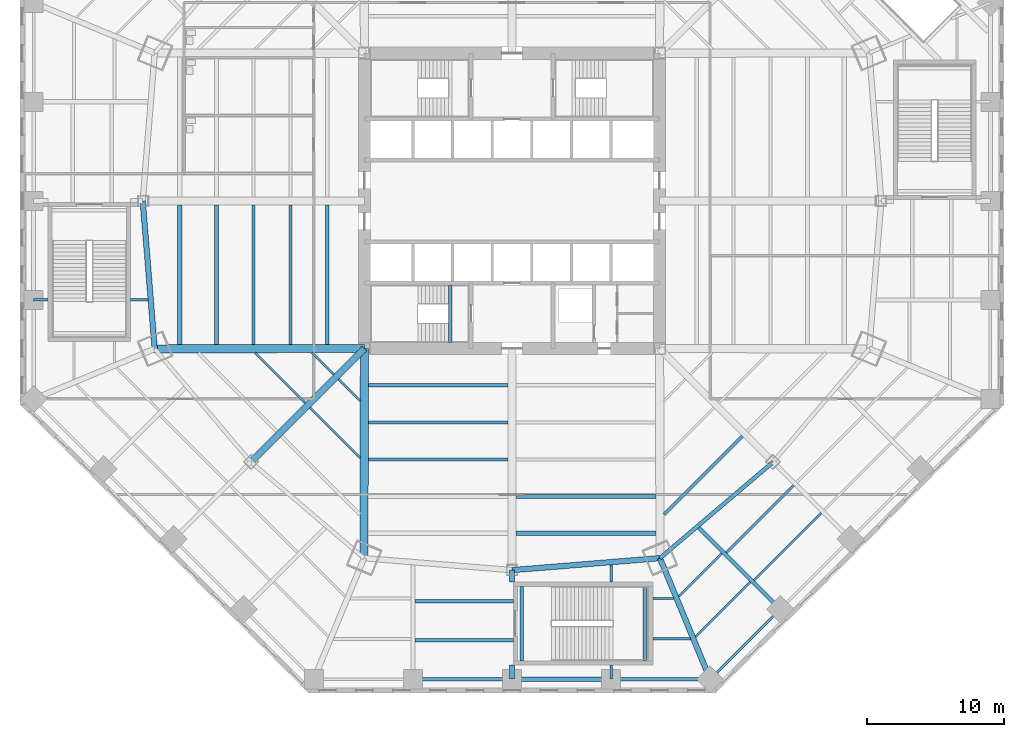
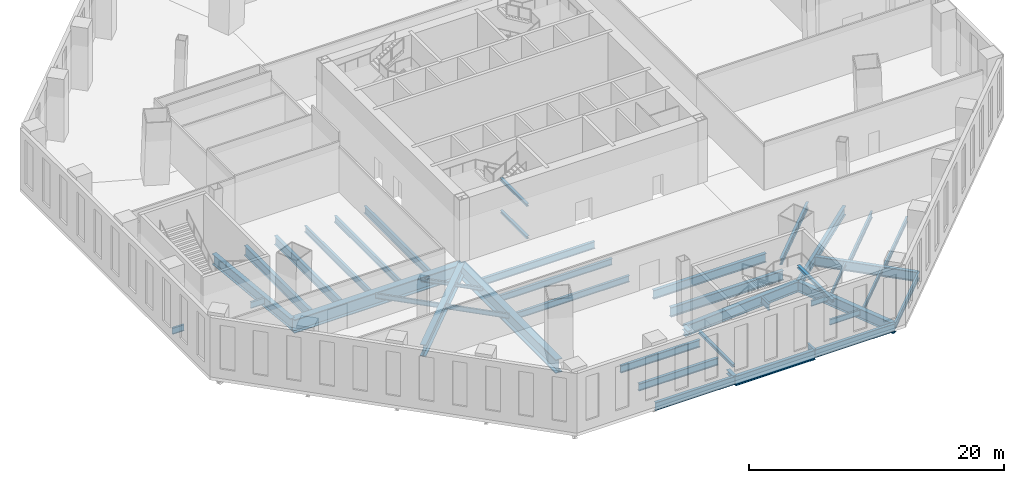
# One storey, part 2 of 20: 41 beams, 4 members.
"""IFC4 building model written with IfcOpenShell, lengths in metres."""

from ifc_helpers import new_model, si_unit, direction, frame, origin, origin_2d, place, context, subcontext, project, spatial, i_section, extrude, source, transform, mapped, material, material_profile, profile_set, type_object, type_shapes, element, save


model = new_model("IFC4")

# Units and contexts
model_context = context("Model", 3, precision=1e-05, world=origin(), true_north=direction((0.0, 1.0)))
body_context = subcontext(model_context, "Body", "Model", "MODEL_VIEW")
ifc_project = project(units=[si_unit("LENGTHUNIT", "METRE"), si_unit("AREAUNIT", "SQUARE_METRE"), si_unit("VOLUMEUNIT", "CUBIC_METRE"), si_unit("PLANEANGLEUNIT", "RADIAN"), si_unit("MASSUNIT", "GRAM", prefix="KILO")], contexts=[model_context])

# Site, building, storey
site_placement = place(None, origin())
site = spatial("IfcSite", under=ifc_project, at=site_placement, CompositionType="ELEMENT")
building_placement = place(site_placement, origin())
building = spatial("IfcBuilding", under=site, at=building_placement, Name="Mashrafa Tower", CompositionType="ELEMENT")
storey_placement = place(building_placement, frame((0.0, 0.0, 7.199951171875)))
storey = spatial("IfcBuildingStorey", under=building, at=storey_placement, Name="L01", CompositionType="ELEMENT", Elevation=7.199951171875)

# Beams
ifc_material_1 = material(Name="Steel ASTM A572 Gr 50", Category="steel")
ifc_material_profile_1 = material_profile(ifc_material_1, i_section(OverallWidth=0.5, OverallDepth=1.10009765625, WebThickness=0.02490234375, FlangeThickness=0.050048828125, at=origin_2d()), Name="H1100X500X25X50")
ifc_profile_set_1 = profile_set([ifc_material_profile_1], Name="Steel ASTM A572 Gr 50")
beam_type_1 = type_object("IfcBeamType", Name="Beam H1100X500X25X50", PredefinedType="BEAM", material=ifc_profile_set_1)
beam_1_placement = place(storey_placement, frame((-10.800048828125, -10.800048828125, -0.849853515625), z_axis=(-0.707106781187, -0.707106781187, 0.0), x_axis=(0.707106781187, -0.707106781187, 0.0)))
element("IfcBeam", 1, at=beam_1_placement, inside=storey, type_object=beam_type_1, Name="Radial girder L01 210", PredefinedType="BEAM", context=body_context, shape_type="SweptSolid", body=[
    extrude(i_section(OverallWidth=0.5, OverallDepth=1.10009765625, WebThickness=0.02490234375, FlangeThickness=0.050048828125, at=origin_2d()), origin(), (0.0, 0.0, 1.0), 11.74609375),
])
ifc_material_2 = material(Name="Steel ASTM A572 Gr 50", Category="steel")
ifc_material_profile_2 = material_profile(ifc_material_2, i_section(OverallWidth=0.60009765625, OverallDepth=1.300048828125, WebThickness=0.028076171875, FlangeThickness=0.06494140625, at=origin_2d()), Name="H1300X600X28X65")
ifc_profile_set_2 = profile_set([ifc_material_profile_2], Name="Steel ASTM A572 Gr 50")
beam_type_2 = type_object("IfcBeamType", Name="Beam H1300X600X28X65", PredefinedType="BEAM", material=ifc_profile_set_2)
for number, where, z_axis, x_axis, name in (
    (2, (-10.800048828125, -10.800048828125, -0.949951171875), (-0.999998325366, -0.001830099739, 0.0), (0.001830099739, -0.999998325366, 0.0), "Radial girder L01 209"),
    (3, (-10.800048828125, -10.800048828125, -0.949951171875), (-0.001830099739, -0.999998325366, 0.0), (0.999998325366, -0.001830099739, 0.0), "Radial girder L01 211"),
):
    element("IfcBeam", number, at=place(storey_placement, frame(where, z_axis=z_axis, x_axis=x_axis)), inside=storey, type_object=beam_type_2, Name=name, PredefinedType="BEAM", context=body_context, shape_type="SweptSolid", body=[
        extrude(i_section(OverallWidth=0.60009765625, OverallDepth=1.300048828125, WebThickness=0.028076171875, FlangeThickness=0.06494140625, at=origin_2d()), origin(), (0.0, 0.0, 1.0), 15.34130859375),
    ])
ifc_material_3 = material(Name="Steel ASTM A992", Category="steel")
ifc_material_profile_3 = material_profile(ifc_material_3, i_section(OverallWidth=0.164794921875, OverallDepth=0.309814453125, WebThickness=0.005859375, FlangeThickness=0.009765625, FilletRadius=0.007568359375, at=origin_2d()), Name="W12X26")
ifc_profile_set_3 = profile_set([ifc_material_profile_3], Name="Steel ASTM A992")
beam_type_3 = type_object("IfcBeamType", Name="Beam W12X26", PredefinedType="BEAM", material=ifc_profile_set_3)
for number, where, z_axis, x_axis, name in (
    (4, (-13.05322265625, -12.69970703125, -0.454833984375), (-0.707106781187, 0.707106781187, 0.0), (-0.707106781187, -0.707106781187, 0.0), "Floor beam L01 040"),
    (5, (-11.107177734375, -14.645751953125, -0.454833984375), (-0.707106781187, 0.707106781187, 0.0), (-0.707106781187, -0.707106781187, 0.0), "Floor beam L01 050"),
):
    element("IfcBeam", number, at=place(storey_placement, frame(where, z_axis=z_axis, x_axis=x_axis)), inside=storey, type_object=beam_type_3, Name=name, PredefinedType="BEAM", context=body_context, shape_type="SweptSolid", body=[
        extrude(i_section(OverallWidth=0.164794921875, OverallDepth=0.309814453125, WebThickness=0.005859375, FlangeThickness=0.009765625, FilletRadius=0.007568359375, at=origin_2d()), origin(), (0.0, 0.0, 1.0), 2.252197265625),
    ])
ifc_material_4 = material(Name="Steel ASTM A992", Category="steel")
ifc_material_profile_4 = material_profile(ifc_material_4, i_section(OverallWidth=0.140380859375, OverallDepth=0.40380859375, WebThickness=0.007080078125, FlangeThickness=0.01123046875, FilletRadius=0.01025390625, at=origin_2d()), Name="W16X31")
ifc_profile_set_4 = profile_set([ifc_material_profile_4], Name="Steel ASTM A992")
beam_type_4 = type_object("IfcBeamType", Name="Beam W16X31", PredefinedType="BEAM", material=ifc_profile_set_4)
beam_2_placement = place(storey_placement, frame((15.33837890625, -25.80712890625, -0.501953125), z_axis=(-0.707106781187, -0.707106781187, 0.0), x_axis=(0.707106781187, -0.707106781187, 0.0)))
element("IfcBeam", 6, at=beam_2_placement, inside=storey, type_object=beam_type_4, Name="Floor beam L01 089", PredefinedType="BEAM", context=body_context, shape_type="SweptSolid", body=[
    extrude(i_section(OverallWidth=0.140380859375, OverallDepth=0.40380859375, WebThickness=0.007080078125, FlangeThickness=0.01123046875, FilletRadius=0.01025390625, at=origin_2d()), origin(), (0.0, 0.0, 1.0), 4.431396484375),
])
ifc_material_5 = material(Name="Steel ASTM A992", Category="steel")
ifc_material_profile_5 = material_profile(ifc_material_5, i_section(OverallWidth=0.15234375, OverallDepth=0.449462890625, WebThickness=0.007568359375, FlangeThickness=0.0107421875, FilletRadius=0.01025390625, at=origin_2d()), Name="W18X35")
ifc_profile_set_5 = profile_set([ifc_material_profile_5], Name="Steel ASTM A992")
beam_type_5 = type_object("IfcBeamType", Name="Beam W18X35", PredefinedType="BEAM", material=ifc_profile_set_5)
for number, where, z_axis, x_axis, name in (
    (7, (-15.129638671875, -14.776123046875, -0.524658203125), (-0.707106781187, 0.707106781187, 0.0), (-0.707106781187, -0.707106781187, 0.0), "Floor beam L01 033"),
    (8, (-11.11474609375, -18.791015625, -0.524658203125), (-0.707106781187, 0.707106781187, 0.0), (-0.707106781187, -0.707106781187, 0.0), "Floor beam L01 047"),
):
    element("IfcBeam", number, at=place(storey_placement, frame(where, z_axis=z_axis, x_axis=x_axis)), inside=storey, type_object=beam_type_5, Name=name, PredefinedType="BEAM", context=body_context, shape_type="SweptSolid", body=[
        extrude(i_section(OverallWidth=0.15234375, OverallDepth=0.449462890625, WebThickness=0.007568359375, FlangeThickness=0.0107421875, FilletRadius=0.01025390625, at=origin_2d()), origin(), (0.0, 0.0, 1.0), 5.177978515625),
    ])
beam_3_placement = place(storey_placement, frame((17.426513671875, -27.89501953125, -0.524658203125), z_axis=(-0.707106781187, -0.707106781187, 0.0), x_axis=(0.707106781187, -0.707106781187, 0.0)))
element("IfcBeam", 9, at=beam_3_placement, inside=storey, type_object=beam_type_5, Name="Floor beam L01 095", PredefinedType="BEAM", context=body_context, shape_type="SweptSolid", body=[
    extrude(i_section(OverallWidth=0.15234375, OverallDepth=0.449462890625, WebThickness=0.007568359375, FlangeThickness=0.0107421875, FilletRadius=0.01025390625, at=origin_2d()), origin(), (0.0, 0.0, 1.0), 5.65478515625),
])
ifc_material_6 = material(Name="Steel ASTM A992", Category="steel")
ifc_material_profile_6 = material_profile(ifc_material_6, i_section(OverallWidth=0.1650390625, OverallDepth=0.52587890625, WebThickness=0.0087890625, FlangeThickness=0.011474609375, FilletRadius=0.0126953125, at=origin_2d()), Name="W21X44")
ifc_profile_set_6 = profile_set([ifc_material_profile_6], Name="Steel ASTM A992")
beam_type_6 = type_object("IfcBeamType", Name="Beam W21X44", PredefinedType="BEAM", material=ifc_profile_set_6)
beam_4_placement = place(storey_placement, frame((11.833984375, -29.09423828125, -0.562744140625), z_axis=(-1.0, 0.0, 0.0), x_axis=(0.0, -1.0, 0.0)))
element("IfcBeam", 10, at=beam_4_placement, inside=storey, type_object=beam_type_6, Name="Floor beam L01 078", PredefinedType="BEAM", context=body_context, shape_type="SweptSolid", body=[
    extrude(i_section(OverallWidth=0.1650390625, OverallDepth=0.52587890625, WebThickness=0.0087890625, FlangeThickness=0.011474609375, FilletRadius=0.0126953125, at=origin_2d()), origin(), (0.0, 0.0, 1.0), 1.533935546875),
])
beam_5_placement = place(storey_placement, frame((13.05712890625, -32.047119140625, -0.562744140625), z_axis=(-1.0, 0.0, 0.0), x_axis=(0.0, -1.0, 0.0)))
element("IfcBeam", 11, at=beam_5_placement, inside=storey, type_object=beam_type_6, Name="Floor beam L01 082", PredefinedType="BEAM", context=body_context, shape_type="SweptSolid", body=[
    extrude(i_section(OverallWidth=0.1650390625, OverallDepth=0.52587890625, WebThickness=0.0087890625, FlangeThickness=0.011474609375, FilletRadius=0.0126953125, at=origin_2d()), origin(), (0.0, 0.0, 1.0), 2.757080078125),
])
beam_6_placement = place(storey_placement, frame((22.62060546875, -22.837890625, -0.562744140625), z_axis=(-0.707124366752, -0.707089195184, 0.0), x_axis=(0.707089195184, -0.707124366752, 0.0)))
element("IfcBeam", 12, at=beam_6_placement, inside=storey, type_object=beam_type_6, Name="Floor beam L01 103", PredefinedType="BEAM", context=body_context, shape_type="SweptSolid", body=[
    extrude(i_section(OverallWidth=0.1650390625, OverallDepth=0.52587890625, WebThickness=0.0087890625, FlangeThickness=0.011474609375, FilletRadius=0.0126953125, at=origin_2d()), origin(), (0.0, 0.0, 1.0), 6.94140625),
])
ifc_material_7 = material(Name="Steel ASTM A992", Category="steel")
ifc_material_profile_7 = material_profile(ifc_material_7, i_section(OverallWidth=0.177978515625, OverallDepth=0.599365234375, WebThickness=0.010009765625, FlangeThickness=0.012939453125, FilletRadius=0.012939453125, at=origin_2d()), Name="W24X55")
ifc_profile_set_7 = profile_set([ifc_material_profile_7], Name="Steel ASTM A992")
beam_type_7 = type_object("IfcBeamType", Name="Beam W24X55", PredefinedType="BEAM", material=ifc_profile_set_7)
beam_7_placement = place(storey_placement, frame((20.600830078125, -20.818359375, -0.599609375), z_axis=(-0.707106781187, -0.707106781187, 0.0), x_axis=(0.707106781187, -0.707106781187, 0.0)))
element("IfcBeam", 13, at=beam_7_placement, inside=storey, type_object=beam_type_7, Name="Floor beam L01 100", PredefinedType="BEAM", context=body_context, shape_type="SweptSolid", body=[
    extrude(i_section(OverallWidth=0.177978515625, OverallDepth=0.599365234375, WebThickness=0.010009765625, FlangeThickness=0.012939453125, FilletRadius=0.012939453125, at=origin_2d()), origin(), (0.0, 0.0, 1.0), 6.941162109375),
])
beam_8_placement = place(storey_placement, frame((14.49755859375, -35.0, -0.599609375), z_axis=(0.707106781187, 0.707106781187, 0.0), x_axis=(-0.707106781187, 0.707106781187, 0.0)))
element("IfcBeam", 14, at=beam_8_placement, inside=storey, type_object=beam_type_7, Name="Podium edge beam L01 138", PredefinedType="BEAM", context=body_context, shape_type="SweptSolid", body=[
    extrude(i_section(OverallWidth=0.177978515625, OverallDepth=0.599365234375, WebThickness=0.010009765625, FlangeThickness=0.012939453125, FilletRadius=0.012939453125, at=origin_2d()), origin(), (0.0, 0.0, 1.0), 7.24853515625),
])
for number, where, z_axis, x_axis, name in (
    (15, (-26.6328125, -7.248779296875, -0.599609375), (-1.0, 0.0, 0.0), (0.0, -1.0, 0.0), "Podium radial beam L01 154"),
    (16, (7.248779296875, -26.6328125, -0.599609375), (0.0, -1.0, 0.0), (1.0, 0.0, 0.0), "Podium radial beam L01 174"),
):
    element("IfcBeam", number, at=place(storey_placement, frame(where, z_axis=z_axis, x_axis=x_axis)), inside=storey, type_object=beam_type_7, Name=name, PredefinedType="BEAM", context=body_context, shape_type="SweptSolid", body=[
        extrude(i_section(OverallWidth=0.177978515625, OverallDepth=0.599365234375, WebThickness=0.010009765625, FlangeThickness=0.012939453125, FilletRadius=0.012939453125, at=origin_2d()), origin(), (0.0, 0.0, 1.0), 1.26708984375),
    ])
ifc_material_8 = material(Name="Steel ASTM A992", Category="steel")
ifc_material_profile_8 = material_profile(ifc_material_8, i_section(OverallWidth=0.227783203125, OverallDepth=0.60205078125, WebThickness=0.010498046875, FlangeThickness=0.014892578125, FilletRadius=0.012939453125, at=origin_2d()), Name="W24X68")
ifc_profile_set_8 = profile_set([ifc_material_profile_8], Name="Steel ASTM A992")
beam_type_8 = type_object("IfcBeamType", Name="Beam W24X68", PredefinedType="BEAM", material=ifc_profile_set_8)
beam_9_placement = place(storey_placement, frame((16.8525390625, -17.2060546875, -0.600830078125), z_axis=(-0.707106781187, -0.707106781187, 0.0), x_axis=(0.707106781187, -0.707106781187, 0.0)))
element("IfcBeam", 17, at=beam_9_placement, inside=storey, type_object=beam_type_8, Name="Floor beam L01 093", PredefinedType="BEAM", context=body_context, shape_type="SweptSolid", body=[
    extrude(i_section(OverallWidth=0.227783203125, OverallDepth=0.60205078125, WebThickness=0.010498046875, FlangeThickness=0.014892578125, FilletRadius=0.012939453125, at=origin_2d()), origin(), (0.0, 0.0, 1.0), 8.103759765625),
])
ifc_material_9 = material(Name="Steel ASTM A992", Category="steel")
ifc_material_profile_9 = material_profile(ifc_material_9, i_section(OverallWidth=0.228271484375, OverallDepth=0.607177734375, WebThickness=0.01123046875, FlangeThickness=0.017333984375, FilletRadius=0.0126953125, at=origin_2d()), Name="W24X76")
ifc_profile_set_9 = profile_set([ifc_material_profile_9], Name="Steel ASTM A992")
beam_type_9 = type_object("IfcBeamType", Name="Beam W24X76", PredefinedType="BEAM", material=ifc_profile_set_9)
beam_10_placement = place(storey_placement, frame((-18.909912109375, -10.514892578125, -0.603515625), z_axis=(0.0, 1.0, 0.0), x_axis=(-1.0, 0.0, 0.0)))
element("IfcBeam", 18, at=beam_10_placement, inside=storey, type_object=beam_type_9, Name="Floor beam L01 023", PredefinedType="BEAM", context=body_context, shape_type="SweptSolid", body=[
    extrude(i_section(OverallWidth=0.228271484375, OverallDepth=0.607177734375, WebThickness=0.01123046875, FlangeThickness=0.017333984375, FilletRadius=0.0126953125, at=origin_2d()), origin(), (0.0, 0.0, 1.0), 10.21484375),
])
beam_11_placement = place(storey_placement, frame((-16.20654296875, -10.510009765625, -0.603515625), z_axis=(0.0, 1.0, 0.0), x_axis=(-1.0, 0.0, 0.0)))
element("IfcBeam", 19, at=beam_11_placement, inside=storey, type_object=beam_type_9, Name="Floor beam L01 029", PredefinedType="BEAM", context=body_context, shape_type="SweptSolid", body=[
    extrude(i_section(OverallWidth=0.228271484375, OverallDepth=0.607177734375, WebThickness=0.01123046875, FlangeThickness=0.017333984375, FilletRadius=0.0126953125, at=origin_2d()), origin(), (0.0, 0.0, 1.0), 10.2099609375),
])
beam_12_placement = place(storey_placement, frame((-0.300048828125, -18.909912109375, -0.603515625), z_axis=(-1.0, 0.0, 0.0), x_axis=(0.0, -1.0, 0.0)))
element("IfcBeam", 20, at=beam_12_placement, inside=storey, type_object=beam_type_9, Name="Floor beam L01 058", PredefinedType="BEAM", context=body_context, shape_type="SweptSolid", body=[
    extrude(i_section(OverallWidth=0.228271484375, OverallDepth=0.607177734375, WebThickness=0.01123046875, FlangeThickness=0.017333984375, FilletRadius=0.0126953125, at=origin_2d()), origin(), (0.0, 0.0, 1.0), 10.21484375),
])
beam_13_placement = place(storey_placement, frame((-0.300048828125, -16.20654296875, -0.603515625), z_axis=(-1.0, 0.0, 0.0), x_axis=(0.0, -1.0, 0.0)))
element("IfcBeam", 21, at=beam_13_placement, inside=storey, type_object=beam_type_9, Name="Floor beam L01 059", PredefinedType="BEAM", context=body_context, shape_type="SweptSolid", body=[
    extrude(i_section(OverallWidth=0.228271484375, OverallDepth=0.607177734375, WebThickness=0.01123046875, FlangeThickness=0.017333984375, FilletRadius=0.0126953125, at=origin_2d()), origin(), (0.0, 0.0, 1.0), 10.2099609375),
])
ifc_material_10 = material(Name="Steel ASTM A992", Category="steel")
ifc_material_profile_10 = material_profile(ifc_material_10, i_section(OverallWidth=0.256591796875, OverallDepth=0.693359375, WebThickness=0.014404296875, FlangeThickness=0.023681640625, FilletRadius=0.01513671875, at=origin_2d()), Name="W27X114")
ifc_profile_set_10 = profile_set([ifc_material_profile_10], Name="Steel ASTM A992")
beam_type_10 = type_object("IfcBeamType", Name="Beam W27X114", PredefinedType="BEAM", material=ifc_profile_set_10)
beam_14_placement = place(storey_placement, frame((0.10009765625, -29.28759765625, -0.646728515625), z_axis=(-1.0, 0.0, 0.0), x_axis=(0.0, -1.0, 0.0)))
element("IfcBeam", 22, at=beam_14_placement, inside=storey, type_object=beam_type_10, Name="Floor beam L01 067", PredefinedType="BEAM", context=body_context, shape_type="SweptSolid", body=[
    extrude(i_section(OverallWidth=0.256591796875, OverallDepth=0.693359375, WebThickness=0.014404296875, FlangeThickness=0.023681640625, FilletRadius=0.01513671875, at=origin_2d()), origin(), (0.0, 0.0, 1.0), 7.195068359375),
])
ifc_material_11 = material(Name="Steel ASTM A992", Category="steel")
ifc_material_profile_11 = material_profile(ifc_material_11, i_section(OverallWidth=0.25390625, OverallDepth=0.67822265625, WebThickness=0.01171875, FlangeThickness=0.016357421875, FilletRadius=0.01513671875, at=origin_2d()), Name="W27X84")
ifc_profile_set_11 = profile_set([ifc_material_profile_11], Name="Steel ASTM A992")
beam_type_11 = type_object("IfcBeamType", Name="Beam W27X84", PredefinedType="BEAM", material=ifc_profile_set_11)
for number, where, z_axis, x_axis, name in (
    (23, (-13.50341796875, -10.5048828125, -0.63916015625), (0.0, 1.0, 0.0), (-1.0, 0.0, 0.0), "Floor beam L01 036"),
    (24, (-0.300048828125, -13.50341796875, -0.63916015625), (-1.0, 0.0, 0.0), (0.0, -1.0, 0.0), "Floor beam L01 060"),
):
    element("IfcBeam", number, at=place(storey_placement, frame(where, z_axis=z_axis, x_axis=x_axis)), inside=storey, type_object=beam_type_11, Name=name, PredefinedType="BEAM", context=body_context, shape_type="SweptSolid", body=[
        extrude(i_section(OverallWidth=0.25390625, OverallDepth=0.67822265625, WebThickness=0.01171875, FlangeThickness=0.016357421875, FilletRadius=0.01513671875, at=origin_2d()), origin(), (0.0, 0.0, 1.0), 10.204833984375),
    ])
ifc_material_12 = material(Name="Steel ASTM A992", Category="steel")
ifc_material_profile_12 = material_profile(ifc_material_12, i_section(OverallWidth=0.25390625, OverallDepth=0.683349609375, WebThickness=0.012451171875, FlangeThickness=0.01904296875, FilletRadius=0.01513671875, at=origin_2d()), Name="W27X94")
ifc_profile_set_12 = profile_set([ifc_material_profile_12], Name="Steel ASTM A992")
beam_type_12 = type_object("IfcBeamType", Name="Beam W27X94", PredefinedType="BEAM", material=ifc_profile_set_12)
beam_15_placement = place(storey_placement, frame((0.10009765625, -32.143798828125, -0.6416015625), z_axis=(-1.0, 0.0, 0.0), x_axis=(0.0, -1.0, 0.0)))
element("IfcBeam", 25, at=beam_15_placement, inside=storey, type_object=beam_type_12, Name="Floor beam L01 066", PredefinedType="BEAM", context=body_context, shape_type="SweptSolid", body=[
    extrude(i_section(OverallWidth=0.25390625, OverallDepth=0.683349609375, WebThickness=0.012451171875, FlangeThickness=0.01904296875, FilletRadius=0.01513671875, at=origin_2d()), origin(), (0.0, 0.0, 1.0), 7.195068359375),
])
ifc_material_13 = material(Name="Steel ASTM A992", Category="steel")
ifc_material_profile_13 = material_profile(ifc_material_13, i_section(OverallWidth=0.2666015625, OverallDepth=0.75439453125, WebThickness=0.01318359375, FlangeThickness=0.01708984375, FilletRadius=0.0166015625, at=origin_2d()), Name="W30X99")
ifc_profile_set_13 = profile_set([ifc_material_profile_13], Name="Steel ASTM A992")
beam_type_13 = type_object("IfcBeamType", Name="Beam W30X99", PredefinedType="BEAM", material=ifc_profile_set_13)
for number, where, z_axis, x_axis, name in (
    (26, (-7.248779296875, -35.0, -0.67724609375), (1.0, 0.0, 0.0), (0.0, 1.0, 0.0), "Podium edge beam L01 132"),
    (27, (7.248779296875, -35.0, -0.67724609375), (1.0, 0.0, 0.0), (0.0, 1.0, 0.0), "Podium edge beam L01 136"),
):
    element("IfcBeam", number, at=place(storey_placement, frame(where, z_axis=z_axis, x_axis=x_axis)), inside=storey, type_object=beam_type_13, Name=name, PredefinedType="BEAM", context=body_context, shape_type="SweptSolid", body=[
        extrude(i_section(OverallWidth=0.2666015625, OverallDepth=0.75439453125, WebThickness=0.01318359375, FlangeThickness=0.01708984375, FilletRadius=0.0166015625, at=origin_2d()), origin(), (0.0, 0.0, 1.0), 7.248779296875),
    ])
ifc_material_14 = material(Name="Steel ASTM A992", Category="steel")
ifc_material_profile_14 = material_profile(ifc_material_14, i_section(OverallWidth=0.2919921875, OverallDepth=0.8408203125, WebThickness=0.0146484375, FlangeThickness=0.021728515625, FilletRadius=0.017333984375, at=origin_2d()), Name="W33X130")
ifc_profile_set_14 = profile_set([ifc_material_profile_14], Name="Steel ASTM A992")
beam_type_14 = type_object("IfcBeamType", Name="Beam W33X130", PredefinedType="BEAM", material=ifc_profile_set_14)
beam_16_placement = place(storey_placement, frame((10.828125, -26.141357421875, -0.72021484375), z_axis=(0.761953179851, 0.647632111398, 0.0), x_axis=(-0.647632111398, 0.761953179851, 0.0)))
element("IfcBeam", 28, at=beam_16_placement, inside=storey, type_object=beam_type_14, Name="Podium ring girder L01 202", PredefinedType="BEAM", context=body_context, shape_type="SweptSolid", body=[
    extrude(i_section(OverallWidth=0.2919921875, OverallDepth=0.8408203125, WebThickness=0.0146484375, FlangeThickness=0.021728515625, FilletRadius=0.017333984375, at=origin_2d()), origin(), (0.0, 0.0, 1.0), 10.863525390625),
])
ifc_material_15 = material(Name="Steel ASTM A992", Category="steel")
ifc_material_profile_15 = material_profile(ifc_material_15, i_section(OverallWidth=0.2919921875, OverallDepth=0.845703125, WebThickness=0.015380859375, FlangeThickness=0.0244140625, FilletRadius=0.017333984375, at=origin_2d()), Name="W33X141")
ifc_profile_set_15 = profile_set([ifc_material_profile_15], Name="Steel ASTM A992")
beam_type_15 = type_object("IfcBeamType", Name="Beam W33X141", PredefinedType="BEAM", material=ifc_profile_set_15)
for number, where, z_axis, x_axis, name in (
    (29, (-21.613037109375, -10.519775390625, -0.722900390625), (0.0, 1.0, 0.0), (-1.0, 0.0, 0.0), "Floor beam L01 018"),
    (30, (10.519775390625, -21.613037109375, -0.722900390625), (-1.0, 0.0, 0.0), (0.0, -1.0, 0.0), "Floor beam L01 075"),
):
    element("IfcBeam", number, at=place(storey_placement, frame(where, z_axis=z_axis, x_axis=x_axis)), inside=storey, type_object=beam_type_15, Name=name, PredefinedType="BEAM", context=body_context, shape_type="SweptSolid", body=[
        extrude(i_section(OverallWidth=0.2919921875, OverallDepth=0.845703125, WebThickness=0.015380859375, FlangeThickness=0.0244140625, FilletRadius=0.017333984375, at=origin_2d()), origin(), (0.0, 0.0, 1.0), 10.2197265625),
    ])
ifc_material_16 = material(Name="Steel ASTM A992", Category="steel")
ifc_material_profile_16 = material_profile(ifc_material_16, i_section(OverallWidth=0.3046875, OverallDepth=0.911865234375, WebThickness=0.015869140625, FlangeThickness=0.02392578125, FilletRadius=0.01904296875, at=origin_2d()), Name="W36X150")
ifc_profile_set_16 = profile_set([ifc_material_profile_16], Name="Steel ASTM A992")
beam_type_16 = type_object("IfcBeamType", Name="Beam W36X150", PredefinedType="BEAM", material=ifc_profile_set_16)
beam_17_placement = place(storey_placement, frame((0.0, -35.0, -0.755859375), z_axis=(1.0, 0.0, 0.0), x_axis=(0.0, 1.0, 0.0)))
element("IfcBeam", 31, at=beam_17_placement, inside=storey, type_object=beam_type_16, Name="Podium edge beam L01 134", PredefinedType="BEAM", context=body_context, shape_type="SweptSolid", body=[
    extrude(i_section(OverallWidth=0.3046875, OverallDepth=0.911865234375, WebThickness=0.015869140625, FlangeThickness=0.02392578125, FilletRadius=0.01904296875, at=origin_2d()), origin(), (0.0, 0.0, 1.0), 7.248779296875),
])
ifc_material_17 = material(Name="Steel ASTM A992", Category="steel")
ifc_material_profile_17 = material_profile(ifc_material_17, i_section(OverallWidth=0.307373046875, OverallDepth=0.927001953125, WebThickness=0.01953125, FlangeThickness=0.031982421875, FilletRadius=0.01904296875, at=origin_2d()), Name="W36X194")
ifc_profile_set_17 = profile_set([ifc_material_profile_17], Name="Steel ASTM A992")
beam_type_17 = type_object("IfcBeamType", Name="Beam W36X194", PredefinedType="BEAM", material=ifc_profile_set_17)
for number, where, z_axis, x_axis, name in (
    (32, (-24.31640625, -10.52490234375, -0.763427734375), (0.0, 1.0, 0.0), (-1.0, 0.0, 0.0), "Floor beam L01 013"),
    (33, (10.52490234375, -24.31640625, -0.763427734375), (-1.0, 0.0, 0.0), (0.0, -1.0, 0.0), "Floor beam L01 077"),
):
    element("IfcBeam", number, at=place(storey_placement, frame(where, z_axis=z_axis, x_axis=x_axis)), inside=storey, type_object=beam_type_17, Name=name, PredefinedType="BEAM", context=body_context, shape_type="SweptSolid", body=[
        extrude(i_section(OverallWidth=0.307373046875, OverallDepth=0.927001953125, WebThickness=0.01953125, FlangeThickness=0.031982421875, FilletRadius=0.01904296875, at=origin_2d()), origin(), (0.0, 0.0, 1.0), 10.224853515625),
    ])
beam_18_placement = place(storey_placement, frame((13.66796875, -23.919189453125, -0.763427734375), z_axis=(0.70709228669, -0.707121275386, 0.0), x_axis=(0.707121275386, 0.70709228669, 0.0)))
element("IfcBeam", 34, at=beam_18_placement, inside=storey, type_object=beam_type_17, Name="Podium radial beam L01 178", PredefinedType="BEAM", context=body_context, shape_type="SweptSolid", body=[
    extrude(i_section(OverallWidth=0.307373046875, OverallDepth=0.927001953125, WebThickness=0.01953125, FlangeThickness=0.031982421875, FilletRadius=0.01904296875, at=origin_2d()), origin(), (0.0, 0.0, 1.0), 8.421875),
])
ifc_material_18 = material(Name="Steel ASTM A992", Category="steel")
ifc_material_profile_18 = material_profile(ifc_material_18, i_section(OverallWidth=0.4013671875, OverallDepth=0.98291015625, WebThickness=0.0166015625, FlangeThickness=0.027099609375, FilletRadius=0.0126953125, at=origin_2d()), Name="W40X199")
ifc_profile_set_18 = profile_set([ifc_material_profile_18], Name="Steel ASTM A992")
beam_type_18 = type_object("IfcBeamType", Name="Beam W40X199", PredefinedType="BEAM", material=ifc_profile_set_18)
beam_19_placement = place(storey_placement, frame((10.828125, -26.141357421875, -0.79150390625), z_axis=(0.38268910224, -0.923877183952, 0.0), x_axis=(0.923877183952, 0.38268910224, 0.0)))
element("IfcBeam", 35, at=beam_19_placement, inside=storey, type_object=beam_type_18, Name="Podium radial beam L01 176", PredefinedType="BEAM", context=body_context, shape_type="SweptSolid", body=[
    extrude(i_section(OverallWidth=0.4013671875, OverallDepth=0.98291015625, WebThickness=0.0166015625, FlangeThickness=0.027099609375, FilletRadius=0.0126953125, at=origin_2d()), origin(), (0.0, 0.0, 1.0), 9.588623046875),
])
ifc_material_19 = material(Name="Steel ASTM A992", Category="steel")
ifc_material_profile_19 = material_profile(ifc_material_19, i_section(OverallWidth=0.4013671875, OverallDepth=1.010986328125, WebThickness=0.023681640625, FlangeThickness=0.0419921875, FilletRadius=0.02001953125, at=origin_2d()), Name="W40X297")
ifc_profile_set_19 = profile_set([ifc_material_profile_19], Name="Steel ASTM A992")
beam_type_19 = type_object("IfcBeamType", Name="Beam W40X297", PredefinedType="BEAM", material=ifc_profile_set_19)
for number, where, z_axis, x_axis, name in (
    (36, (-27.01953125, 0.0, -0.805419921875), (0.080835781427, -0.996727433374, 0.0), (0.996727433374, 0.080835781427, 0.0), "Podium ring girder L01 193"),
    (37, (0.0, -27.01953125, -0.805419921875), (0.996727433374, 0.080835781427, 0.0), (-0.080835781427, 0.996727433374, 0.0), "Podium ring girder L01 200"),
):
    element("IfcBeam", number, at=place(storey_placement, frame(where, z_axis=z_axis, x_axis=x_axis)), inside=storey, type_object=beam_type_19, Name=name, PredefinedType="BEAM", context=body_context, shape_type="SweptSolid", body=[
        extrude(i_section(OverallWidth=0.4013671875, OverallDepth=1.010986328125, WebThickness=0.023681640625, FlangeThickness=0.0419921875, FilletRadius=0.02001953125, at=origin_2d()), origin(), (0.0, 0.0, 1.0), 10.86376953125),
    ])
ifc_material_20 = material(Name="Steel ASTM A992", Category="steel")
ifc_material_profile_20 = material_profile(ifc_material_20, i_section(OverallWidth=0.25390625, OverallDepth=0.25390625, WebThickness=0.008544921875, FlangeThickness=0.01416015625, FilletRadius=0.010009765625, at=origin_2d()), Name="W10X49")
ifc_profile_set_20 = profile_set([ifc_material_profile_20], Name="Steel ASTM A992")
beam_type_20 = type_object("IfcBeamType", Name="Hoistway beam W10X49", PredefinedType="BEAM", material=ifc_profile_set_20)
for number, where, z_axis, x_axis, name in (
    (38, (-4.530029296875, -10.35009765625, -0.427001953125), (0.0, 1.0, 0.0), (-1.0, 0.0, 0.0), "Stair S3 landing beam L01"),
    (39, (-4.530029296875, -10.35009765625, 2.673095703125), (0.0, 1.0, 0.0), (-1.0, 0.0, 0.0), "Stair S3 landing beam L01"),
):
    element("IfcBeam", number, at=place(storey_placement, frame(where, z_axis=z_axis, x_axis=x_axis)), inside=storey, type_object=beam_type_20, Name=name, PredefinedType="BEAM", context=body_context, shape_type="SweptSolid", body=[
        extrude(i_section(OverallWidth=0.25390625, OverallDepth=0.25390625, WebThickness=0.008544921875, FlangeThickness=0.01416015625, FilletRadius=0.010009765625, at=origin_2d()), origin(), (0.0, 0.0, 1.0), 4.2001953125),
    ])
for number, where, z_axis, x_axis, name in (
    (40, (0.699951171875, -33.64990234375, -0.427001953125), (0.0, 1.0, 0.0), (-1.0, 0.0, 0.0), "Stair P4 landing beam L01"),
    (41, (9.699951171875, -33.64990234375, 2.673095703125), (0.0, 1.0, 0.0), (-1.0, 0.0, 0.0), "Stair P4 landing beam L01"),
):
    element("IfcBeam", number, at=place(storey_placement, frame(where, z_axis=z_axis, x_axis=x_axis)), inside=storey, type_object=beam_type_20, Name=name, PredefinedType="BEAM", context=body_context, shape_type="SweptSolid", body=[
        extrude(i_section(OverallWidth=0.25390625, OverallDepth=0.25390625, WebThickness=0.008544921875, FlangeThickness=0.01416015625, FilletRadius=0.010009765625, at=origin_2d()), origin(), (0.0, 0.0, 1.0), 5.449951171875),
    ])

# Members
ifc_material_21 = material(Name="Steel ASTM A992", Category="steel")
ifc_material_profile_21 = material_profile(ifc_material_21, i_section(OverallWidth=0.177978515625, OverallDepth=0.599365234375, WebThickness=0.010009765625, FlangeThickness=0.012939453125, FilletRadius=0.012939453125, at=origin_2d()), Name="W24X55")
ifc_profile_set_21 = profile_set([ifc_material_profile_21], Name="Steel ASTM A992")
member_type_1 = type_object("IfcMemberType", Name="Tie strut W24X55", PredefinedType="STRUT", material=ifc_profile_set_21)
shared_shape_1 = source(origin(), body_context, "Body", "SweptSolid", [
    extrude(i_section(OverallWidth=0.177978515625, OverallDepth=0.599365234375, WebThickness=0.010009765625, FlangeThickness=0.012939453125, FilletRadius=0.012939453125, at=origin_2d()), origin(), (0.0, 0.0, 1.0), 1.050048828125),
])
type_shapes(member_type_1, [shared_shape_1])
for number, where, z_axis, x_axis, name in (
    (42, (-33.949951171875, -7.248779296875, -0.599609375), (-1.0, 0.0, 0.0), (0.0, -1.0, 0.0), "Tie strut L01 151"),
    (43, (7.248779296875, -33.949951171875, -0.599609375), (0.0, -1.0, 0.0), (1.0, 0.0, 0.0), "Tie strut L01 173"),
):
    element("IfcMember", number, at=place(storey_placement, frame(where, z_axis=z_axis, x_axis=x_axis)), inside=storey, type_object=member_type_1, Name=name, PredefinedType="STRUT", context=body_context, shape_type="MappedRepresentation", body=[
        mapped(shared_shape_1, transform((0.0, 0.0, 0.0))),
    ])
ifc_material_22 = material(Name="Steel ASTM A992", Category="steel")
ifc_material_profile_22 = material_profile(ifc_material_22, i_section(OverallWidth=0.368408203125, OverallDepth=0.355712890625, WebThickness=0.01123046875, FlangeThickness=0.01806640625, FilletRadius=0.01513671875, at=origin_2d()), Name="W14X90")
ifc_profile_set_22 = profile_set([ifc_material_profile_22], Name="Steel ASTM A992")
member_type_2 = type_object("IfcMemberType", Name="Tie strut W14X90", PredefinedType="STRUT", material=ifc_profile_set_22)
shared_shape_2 = source(origin(), body_context, "Body", "SweptSolid", [
    extrude(i_section(OverallWidth=0.368408203125, OverallDepth=0.355712890625, WebThickness=0.01123046875, FlangeThickness=0.01806640625, FilletRadius=0.01513671875, at=origin_2d()), origin(), (0.0, 0.0, 1.0), 1.050048828125),
])
member_1_placement = place(storey_placement, frame((0.0, -33.949951171875, -0.477783203125), z_axis=(0.0, -1.0, 0.0), x_axis=(1.0, 0.0, 0.0)))
element("IfcMember", 44, at=member_1_placement, inside=storey, type_object=member_type_2, Name="Tie strut L01 169", PredefinedType="STRUT", context=body_context, shape_type="MappedRepresentation", body=[
    mapped(shared_shape_2, transform((0.0, 0.0, 0.0))),
])
shared_shape_3 = source(origin(), body_context, "Body", "SweptSolid", [
    extrude(i_section(OverallWidth=0.368408203125, OverallDepth=0.355712890625, WebThickness=0.01123046875, FlangeThickness=0.01806640625, FilletRadius=0.01513671875, at=origin_2d()), origin(), (0.0, 0.0, 1.0), 0.88037109375),
])
type_shapes(member_type_2, [shared_shape_2, shared_shape_3])
member_2_placement = place(storey_placement, frame((0.0, -27.01953125, -0.477783203125), z_axis=(0.0, -1.0, 0.0), x_axis=(1.0, 0.0, 0.0)))
element("IfcMember", 45, at=member_2_placement, inside=storey, type_object=member_type_2, Name="Tie strut L01 170", PredefinedType="STRUT", context=body_context, shape_type="MappedRepresentation", body=[
    mapped(shared_shape_3, transform((0.0, 0.0, 0.0))),
])

save(model, "model.ifc")
